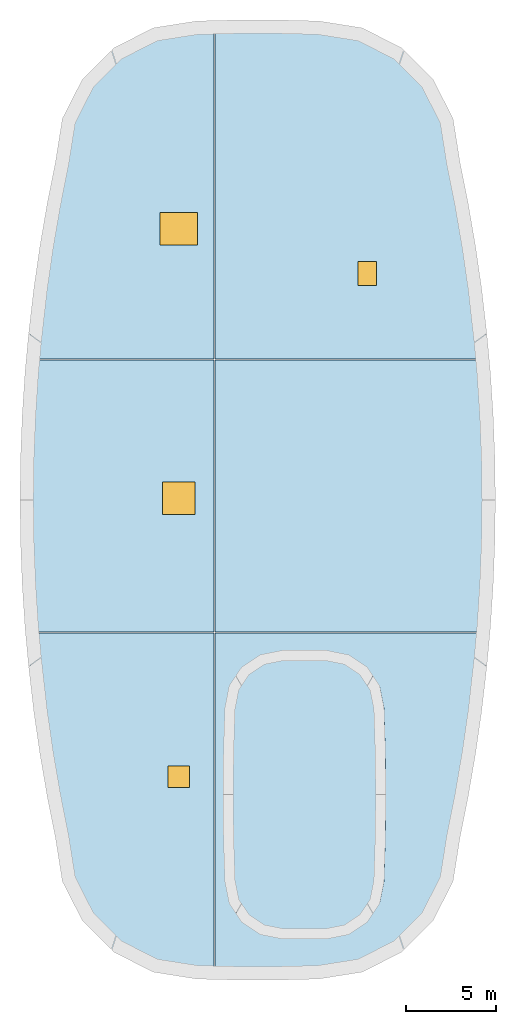
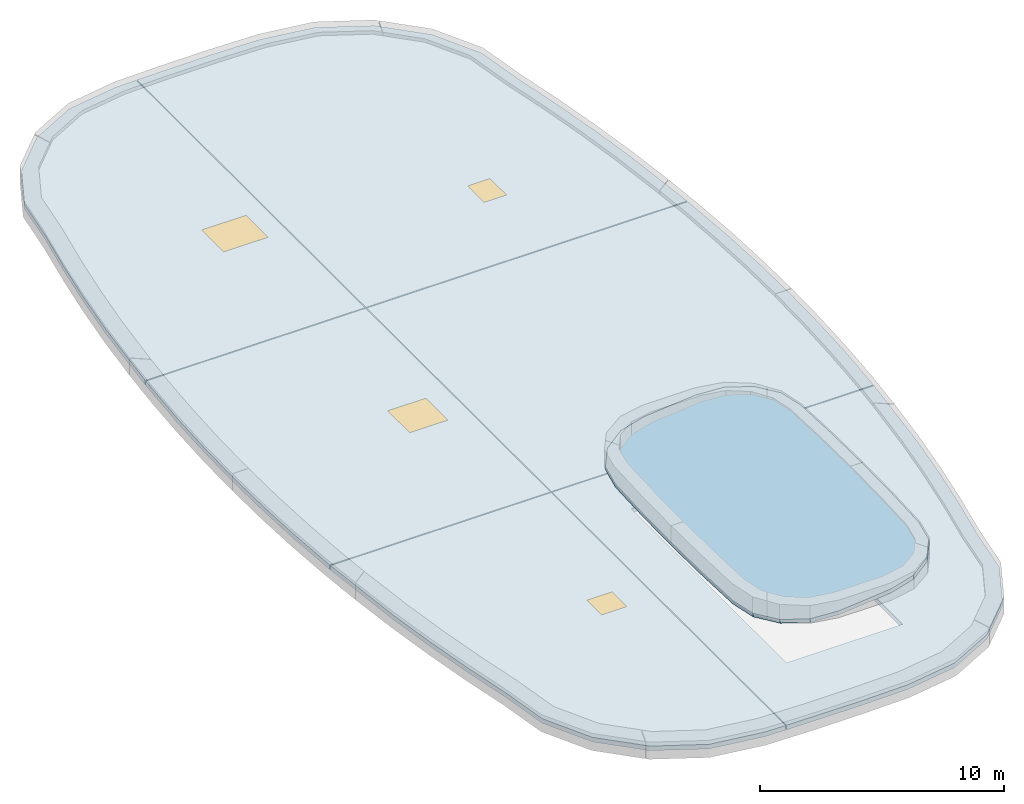
# One storey, part 1 of 2: 7 slabs, 2 doors, 2 windows, 4 openings.
"""IFC4 building model written with IfcOpenShell, lengths in metres."""

from ifc_helpers import new_model, si_unit, direction, frame, origin, origin_2d, place, context, subcontext, project, spatial, polyline, rectangle, outline, extrude, material, layer, layer_set, type_object, element, fill, save


model = new_model("IFC4")

# Units and contexts
model_context = context("Model", 3, precision=1e-05, world=origin(), true_north=direction((0.0, 1.0)))
body_context = subcontext(model_context, "Body", "Model", "MODEL_VIEW")
ifc_project = project(units=[si_unit("LENGTHUNIT", "METRE"), si_unit("AREAUNIT", "SQUARE_METRE"), si_unit("VOLUMEUNIT", "CUBIC_METRE"), si_unit("PLANEANGLEUNIT", "RADIAN"), si_unit("MASSUNIT", "GRAM", prefix="KILO")], contexts=[model_context])

# Site, building, storey
site_placement = place(None, origin())
site = spatial("IfcSite", under=ifc_project, at=site_placement, CompositionType="ELEMENT")
building_placement = place(site_placement, origin())
building = spatial("IfcBuilding", under=site, at=building_placement, Name="Corveleigh Park Community Centre", CompositionType="ELEMENT")
storey_placement = place(building_placement, frame((0.0, 0.0, 23.39990234375)))
storey = spatial("IfcBuildingStorey", under=building, at=storey_placement, Name="Roof", CompositionType="ELEMENT", Elevation=23.39990234375)

# Slab
ifc_material_1 = material(Name="Concrete C32/40", Category="concrete")
ifc_layer_1 = layer(ifc_material_1, 0.19189453125, Name="Concrete C32/40", Category="concrete")
ifc_layer_set_1 = layer_set([ifc_layer_1], Name="Concrete C32/40")
slab_type_1 = type_object("IfcSlabType", Name="SLB-ROF-192", PredefinedType="ROOF", material=ifc_layer_set_1)
slab_1_placement = place(storey_placement, frame((161.76806640625, 57.0, 3.058837890625), z_axis=(-0.094008671877, 0.0, 0.995571378462), x_axis=(0.995544113234, -0.007400829317, 0.094006097308)))
element("IfcSlab", 1, at=slab_1_placement, inside=storey, type_object=slab_type_1, Name="Stair ST1 Overhanging Pebble Lantern Cap", PredefinedType="ROOF", context=body_context, shape_type="SweptSolid", body=[
    extrude(outline(polyline([(0.0, 0.0), (0.8247069839806165, -9.486769009248164e-20), (1.6501209058772686, 0.0061089148537261), (2.474760498410487, 0.018315781654634267), (3.6904750387448915, 0.26828672017305866), (4.717777091905167, 0.9629203496679668), (5.400223836111625, 1.996075487930701), (5.633282158885458, 3.2097476135450598), (5.691906899253338, 5.625286700933206), (5.699040041412605, 8.042397875845744), (5.656131405972791, 10.459138689960659), (5.561760081813885, 12.87354544857853), (5.310763420793118, 14.083635067765414), (4.613099444040763, 15.106575962411224), (3.575628477941957, 15.785928140706543), (2.3563472293380676, 16.017877597457826), (1.5316172946501005, 16.017877427598908), (0.7062033727534485, 16.01176851274518), (-0.11841326907241916, 15.999561815803192), (-1.3341507601141744, 15.749590707425849), (-2.3614528132744494, 15.05495707793094), (-3.0438766067735576, 14.021802109527126), (-3.2769578802547414, 12.80812981405385), (-3.3355826206226205, 10.3925907266657), (-3.342715762781888, 7.975479551753164), (-3.2998071273420737, 5.558738737638248), (-3.205435803183168, 3.1443319790203765), (-2.9544161914550515, 1.9342425296924137), (-2.2567751654100463, 0.9113014651876824), (-1.21930419931124, 0.23194928689236277), (0.0, 0.0)])), origin(), (0.0, 0.0, -1.0), 0.19189453125),
])

# Slab, opening, door
ifc_layer_2 = layer(ifc_material_1, 0.22802734375, Name="Concrete C32/40", Category="concrete")
ifc_layer_set_2 = layer_set([ifc_layer_2], Name="Concrete C32/40")
slab_type_2 = type_object("IfcSlabType", Name="SLB-ROF-228", PredefinedType="ROOF", material=ifc_layer_set_2)
slab_2_placement = place(storey_placement, frame((0.0, 0.0, -0.227783203125)))
slab_2 = element("IfcSlab", 2, at=slab_2_placement, inside=storey, type_object=slab_type_2, Name="East Wing Pebble Crown Roof Bay 1", PredefinedType="ROOF", context=body_context, shape_type="SweptSolid", body=[
    extrude(outline(polyline([(154.590087890625, 55.181884765625), (152.4150390625, 56.2900390625), (150.68994140625, 58.014892578125), (149.58203125, 60.18994140625), (149.199951171875, 62.60009765625), (148.739990234375, 64.922119140625), (148.340087890625, 67.2548828125), (148.0009765625, 69.597900390625), (147.535888671875, 74.0), (157.97998046875, 74.0), (157.97998046875, 54.77587890625), (157.0, 54.800048828125), (154.590087890625, 55.181884765625)])), origin(), (0.0, 0.0, 1.0), 0.227783203125),
])
opening_1_placement = place(slab_2_placement, frame((156.0, 66.0, -0.010009765625)))
opening_1 = element("IfcOpeningElement", 3, at=opening_1_placement, cuts=slab_2, Name="Opening RH01", PredefinedType="OPENING", context=body_context, shape_type="SweptSolid", body=[
    extrude(rectangle(XDim=1.199951171875, YDim=1.199951171875, at=origin_2d()), origin(), (0.0, 0.0, 1.0), 0.247802734375),
])
ifc_material_2 = material(Name="Anodised aluminium 6063-T6", Category="aluminium")
door_type_1 = type_object("IfcDoorType", Name="DR-HTC-1200x1200", OperationType="SINGLE_SWING_LEFT", PredefinedType="TRAPDOOR", material=ifc_material_2)
door_1_placement = place(opening_1_placement, frame((0.0, 0.0, 0.187744140625)))
door_1 = element("IfcDoor", 4, at=door_1_placement, inside=storey, type_object=door_type_1, Name="Roof maintenance hatch 5", OperationType="SINGLE_SWING_LEFT", OverallHeight=1.199951171875, OverallWidth=1.199951171875, PredefinedType="TRAPDOOR", context=body_context, shape_type="SweptSolid", body=[
    extrude(rectangle(XDim=1.199951171875, YDim=1.199951171875, at=origin_2d()), origin(), (0.0, 0.0, 1.0), 0.050048828125),
])
fill(opening_1, door_1)

# Slab
slab_3_placement = place(storey_placement, frame((0.0, 0.0, -0.227783203125)))
element("IfcSlab", 5, at=slab_3_placement, inside=storey, type_object=slab_type_2, Name="East Wing Pebble Crown Roof Bay 2", PredefinedType="ROOF", context=body_context, shape_type="SweptSolid", body=[
    extrude(outline(polyline([(172.799072265625, 69.597900390625), (172.4599609375, 67.2548828125), (172.06005859375, 64.922119140625), (171.60009765625, 62.60009765625), (171.218017578125, 60.18994140625), (170.110107421875, 58.014892578125), (168.385009765625, 56.2900390625), (166.2099609375, 55.181884765625), (163.800048828125, 54.800048828125), (161.533935546875, 54.7451171875), (158.02001953125, 54.77490234375), (158.02001953125, 74.0), (173.263916015625, 74.0), (172.799072265625, 69.597900390625)]), holes=[polyline([(165.75, 58.64990234375), (165.75, 71.35009765625), (160.25, 71.35009765625), (160.25, 58.64990234375), (165.75, 58.64990234375)])]), origin(), (0.0, 0.0, 1.0), 0.227783203125),
])

# Slab, opening, window
slab_4_placement = place(storey_placement, frame((0.0, 0.0, -0.227783203125)))
slab_4 = element("IfcSlab", 6, at=slab_4_placement, inside=storey, type_object=slab_type_2, Name="East Wing Pebble Crown Roof Bay 3", PredefinedType="ROOF", context=body_context, shape_type="SweptSolid", body=[
    extrude(outline(polyline([(147.35400390625, 76.66796875), (147.260986328125, 79.032958984375), (147.22998046875, 81.39990234375), (147.260986328125, 83.76708984375), (147.35400390625, 86.132080078125), (147.572998046875, 89.199951171875), (157.97998046875, 89.199951171875), (157.97998046875, 74.050048828125), (147.531005859375, 74.050048828125), (147.35400390625, 76.66796875)])), origin(), (0.0, 0.0, 1.0), 0.227783203125),
])
opening_2_placement = place(slab_4_placement, frame((156.0, 81.5, -0.010009765625)))
opening_2 = element("IfcOpeningElement", 7, at=opening_2_placement, cuts=slab_4, Name="Opening SK01", PredefinedType="OPENING", context=body_context, shape_type="SweptSolid", body=[
    extrude(rectangle(XDim=1.800048828125, YDim=1.800048828125, at=origin_2d()), origin(), (0.0, 0.0, 1.0), 0.247802734375),
])
ifc_material_3 = material(Name="Low-E double glazing", Category="glass")
window_type_1 = type_object("IfcWindowType", Name="SKY-ROF-1800x1800", PartitioningType="SINGLE_PANEL", PredefinedType="SKYLIGHT", material=ifc_material_3)
window_1_placement = place(opening_2_placement, frame((0.0, 0.0, 0.187744140625)))
window_1 = element("IfcWindow", 8, at=window_1_placement, inside=storey, type_object=window_type_1, Name="Daylight rooflight 7", OverallHeight=1.800048828125, OverallWidth=1.800048828125, PartitioningType="SINGLE_PANEL", PredefinedType="SKYLIGHT", context=body_context, shape_type="SweptSolid", body=[
    extrude(rectangle(XDim=1.800048828125, YDim=1.800048828125, at=origin_2d()), origin(), (0.0, 0.0, 1.0), 0.050048828125),
])
fill(opening_2, window_1)

# Slab
slab_5_placement = place(storey_placement, frame((0.0, 0.0, -0.227783203125)))
element("IfcSlab", 9, at=slab_5_placement, inside=storey, type_object=slab_type_2, Name="East Wing Pebble Crown Roof Bay 4", PredefinedType="ROOF", context=body_context, shape_type="SweptSolid", body=[
    extrude(outline(polyline([(173.446044921875, 86.132080078125), (173.5390625, 83.76708984375), (173.570068359375, 81.39990234375), (173.5390625, 79.032958984375), (173.446044921875, 76.66796875), (173.26904296875, 74.050048828125), (158.02001953125, 74.050048828125), (158.02001953125, 89.199951171875), (173.22705078125, 89.199951171875), (173.446044921875, 86.132080078125)])), origin(), (0.0, 0.0, 1.0), 0.227783203125),
])

# Slab, opening, window
slab_6_placement = place(storey_placement, frame((0.0, 0.0, -0.227783203125)))
slab_6 = element("IfcSlab", 10, at=slab_6_placement, inside=storey, type_object=slab_type_2, Name="East Wing Pebble Crown Roof Bay 5", PredefinedType="ROOF", context=body_context, shape_type="SweptSolid", body=[
    extrude(outline(polyline([(148.0009765625, 93.201904296875), (148.340087890625, 95.544921875), (148.739990234375, 97.8779296875), (149.199951171875, 100.199951171875), (149.58203125, 102.610107421875), (150.68994140625, 104.784912109375), (152.4150390625, 106.510009765625), (154.590087890625, 107.617919921875), (157.0, 108.0), (157.97998046875, 108.02392578125), (157.97998046875, 89.25), (147.576904296875, 89.25), (148.0009765625, 93.201904296875)])), origin(), (0.0, 0.0, 1.0), 0.227783203125),
])
opening_3_placement = place(slab_6_placement, frame((156.0, 96.5, -0.010009765625)))
opening_3 = element("IfcOpeningElement", 11, at=opening_3_placement, cuts=slab_6, Name="Opening SK02", PredefinedType="OPENING", context=body_context, shape_type="SweptSolid", body=[
    extrude(rectangle(XDim=2.10009765625, YDim=1.800048828125, at=origin_2d()), origin(), (0.0, 0.0, 1.0), 0.247802734375),
])
window_type_2 = type_object("IfcWindowType", Name="SKY-ROF-2100x1800", PartitioningType="SINGLE_PANEL", PredefinedType="SKYLIGHT", material=ifc_material_3)
window_2_placement = place(opening_3_placement, frame((0.0, 0.0, 0.187744140625)))
window_2 = element("IfcWindow", 12, at=window_2_placement, inside=storey, type_object=window_type_2, Name="Daylight rooflight 8", OverallHeight=1.800048828125, OverallWidth=2.10009765625, PartitioningType="SINGLE_PANEL", PredefinedType="SKYLIGHT", context=body_context, shape_type="SweptSolid", body=[
    extrude(rectangle(XDim=2.10009765625, YDim=1.800048828125, at=origin_2d()), origin(), (0.0, 0.0, 1.0), 0.050048828125),
])
fill(opening_3, window_2)

# Slab, opening, door
slab_7_placement = place(storey_placement, frame((0.0, 0.0, -0.227783203125)))
slab_7 = element("IfcSlab", 13, at=slab_7_placement, inside=storey, type_object=slab_type_2, Name="East Wing Pebble Crown Roof Bay 6", PredefinedType="ROOF", context=body_context, shape_type="SweptSolid", body=[
    extrude(outline(polyline([(161.533935546875, 108.054931640625), (163.800048828125, 108.0), (166.2099609375, 107.617919921875), (168.385009765625, 106.510009765625), (170.110107421875, 104.784912109375), (171.218017578125, 102.610107421875), (171.60009765625, 100.199951171875), (172.06005859375, 97.8779296875), (172.4599609375, 95.544921875), (172.799072265625, 93.201904296875), (173.222900390625, 89.25), (158.02001953125, 89.25), (158.02001953125, 108.02490234375), (161.533935546875, 108.054931640625)])), origin(), (0.0, 0.0, 1.0), 0.227783203125),
])
opening_4_placement = place(slab_7_placement, frame((166.5, 94.0, -0.010009765625)))
opening_4 = element("IfcOpeningElement", 14, at=opening_4_placement, cuts=slab_7, Name="Opening RH02", PredefinedType="OPENING", context=body_context, shape_type="SweptSolid", body=[
    extrude(rectangle(XDim=1.050048828125, YDim=1.35009765625, at=origin_2d()), origin(), (0.0, 0.0, 1.0), 0.247802734375),
])
door_type_2 = type_object("IfcDoorType", Name="DR-HTC-1050x1350", OperationType="SINGLE_SWING_LEFT", PredefinedType="TRAPDOOR", material=ifc_material_2)
door_2_placement = place(opening_4_placement, frame((0.0, 0.0, 0.187744140625)))
door_2 = element("IfcDoor", 15, at=door_2_placement, inside=storey, type_object=door_type_2, Name="Roof maintenance hatch 6", OperationType="SINGLE_SWING_LEFT", OverallHeight=1.35009765625, OverallWidth=1.050048828125, PredefinedType="TRAPDOOR", context=body_context, shape_type="SweptSolid", body=[
    extrude(rectangle(XDim=1.050048828125, YDim=1.35009765625, at=origin_2d()), origin(), (0.0, 0.0, 1.0), 0.050048828125),
])
fill(opening_4, door_2)

save(model, "model.ifc")
